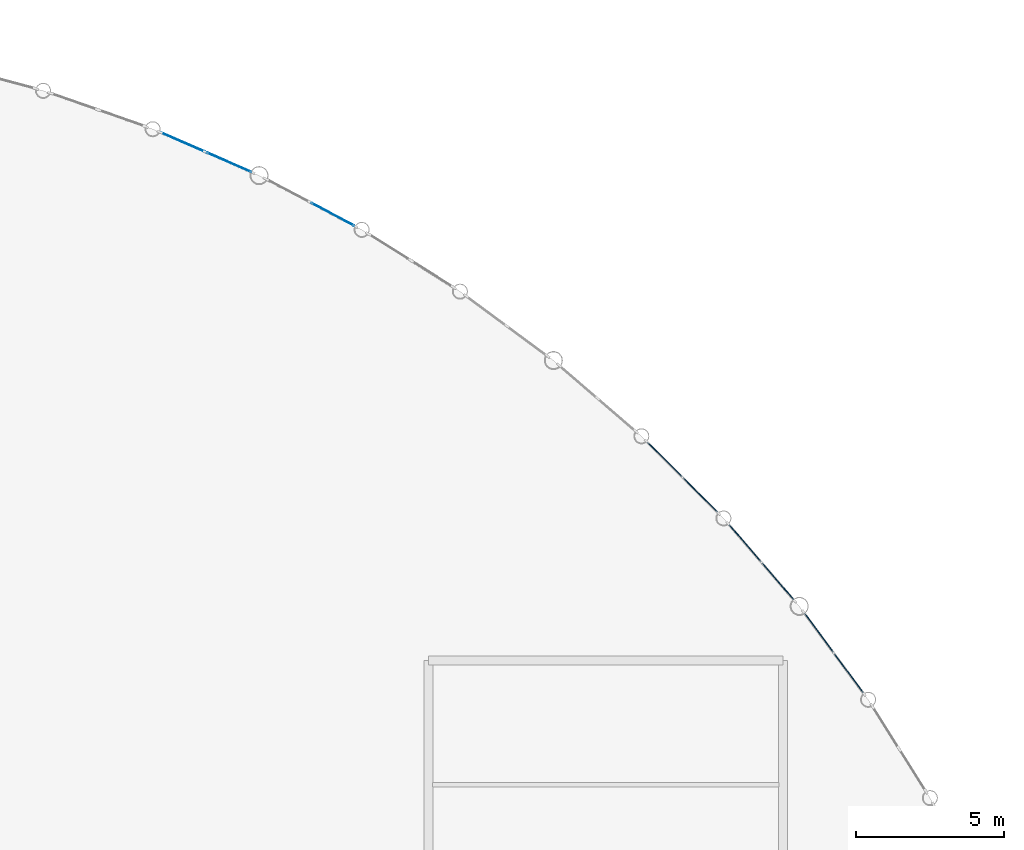
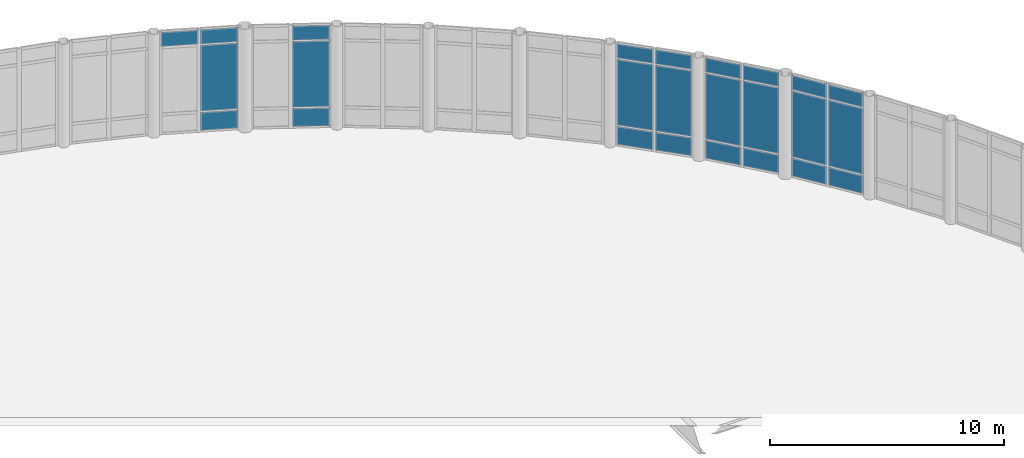
# One storey, part 93 of 111: 25 plates, 5 elements without a shape of their own.
"""IFC4 building model written with IfcOpenShell, lengths in metres."""

import ifcopenshell
import ifcopenshell.guid

model = None  # the IFC model being written
_history = None  # IfcOwnerHistory: only IFC2X3 demands one
_inside = {}  # id of a spatial element -> (the spatial element, [elements in it])
_under = {}  # id of a project, library or spatial element -> (it, [spatial elements below it])
_declared = {}  # id of a project -> (the project, [libraries it declares])
_typed = {}  # id of a type object -> (the type object, [elements of that type])
_made_of = {}  # id of a material, layer set ... -> (it, [elements and type objects made of it])


def new_model(schema):
    """Start an empty IFC model of exactly this schema.

    Asked for "IFC4X3", IfcOpenShell would pick the latest addendum, in which some entities
    have other attributes; the version numbers below select the first issue.
    IFC2X3 requires an IfcOwnerHistory on every rooted entity: one is made here for all.
    """
    global model, _history
    if schema == "IFC4X3":
        model = ifcopenshell.file(schema_version=(4, 3, 0, 0))
    else:
        model = ifcopenshell.file(schema=schema)
    _inside.clear()
    _under.clear()
    _declared.clear()
    _typed.clear()
    _made_of.clear()
    _history = None
    if model.schema == "IFC2X3":
        org = make("IfcOrganization", Name="unknown")
        user = make(
            "IfcPersonAndOrganization",
            ThePerson=make("IfcPerson", FamilyName="unknown"),
            TheOrganization=org,
        )
        app = make(
            "IfcApplication",
            ApplicationDeveloper=org,
            Version="unknown",
            ApplicationFullName="unknown",
            ApplicationIdentifier="unknown",
        )
        _history = make(
            "IfcOwnerHistory",
            OwningUser=user,
            OwningApplication=app,
            ChangeAction="ADDED",
            CreationDate=0,
        )
    return model


def make(cls, **values):
    """One entity of the class cls with the attributes given. An attribute that is None is left unset."""
    return model.create_entity(
        cls, **{name: value for name, value in values.items() if value is not None}
    )


def rooted(cls, **values):
    """An entity with a GlobalId (a new one), such as an element, a storey or a relation."""
    return make(cls, GlobalId=ifcopenshell.guid.new(), OwnerHistory=_history, **values)


def si_unit(unit_type, name, prefix=None):
    """IfcSIUnit, for example si_unit("LENGTHUNIT", "METRE", prefix="MILLI")."""
    return make("IfcSIUnit", UnitType=unit_type, Prefix=prefix, Name=name)


def assignment(units):
    """IfcUnitAssignment: the units of a project."""
    return None if units is None else make("IfcUnitAssignment", Units=units)


def point(xyz):
    """IfcCartesianPoint."""
    return None if xyz is None else make("IfcCartesianPoint", Coordinates=xyz)


def direction(xyz):
    """IfcDirection."""
    return None if xyz is None else make("IfcDirection", DirectionRatios=xyz)


def frame(location, z_axis=None, x_axis=None):
    """IfcAxis2Placement3D, a coordinate frame: its origin and axes. An axis left out is left unset."""
    return make(
        "IfcAxis2Placement3D",
        Location=point(location),
        Axis=direction(z_axis),
        RefDirection=direction(x_axis),
    )


def frame_2d(location, x_axis=None):
    """IfcAxis2Placement2D, a coordinate frame in the plane: its origin and x axis."""
    return make(
        "IfcAxis2Placement2D", Location=point(location), RefDirection=direction(x_axis)
    )


def origin():
    """The frame at (0, 0, 0) with its axes left unset."""
    return frame((0.0, 0.0, 0.0))


def origin_2d():
    """The frame at (0, 0) in the plane with its x axis left unset."""
    return frame_2d((0.0, 0.0))


def place(relative_to, where):
    """IfcLocalPlacement: puts the frame where relative to a parent placement (None: the world)."""
    return make(
        "IfcLocalPlacement", PlacementRelTo=relative_to, RelativePlacement=where
    )


def context(
    kind, dimensions, precision=None, world=None, true_north=None, identifier=None
):
    """IfcGeometricRepresentationContext, for example the 3D "Model" context."""
    return make(
        "IfcGeometricRepresentationContext",
        ContextIdentifier=identifier,
        ContextType=kind,
        CoordinateSpaceDimension=dimensions,
        Precision=precision,
        WorldCoordinateSystem=world,
        TrueNorth=true_north,
    )


def subcontext(parent, identifier, kind, view, scale=None):
    """IfcGeometricRepresentationSubContext, for example "Body" below "Model"."""
    return make(
        "IfcGeometricRepresentationSubContext",
        ContextIdentifier=identifier,
        ContextType=kind,
        ParentContext=parent,
        TargetScale=scale,
        TargetView=view,
    )


def project(units=None, contexts=None):
    """IfcProject with its units and contexts."""
    return rooted(
        "IfcProject",
        Name="project",
        RepresentationContexts=contexts,
        UnitsInContext=assignment(units),
    )


def spatial(cls, under=None, at=None, **own):
    """A site, building, storey or space (cls), placed at a placement, below another one or the project."""
    s = rooted(cls, ObjectPlacement=at, **own)
    if under is not None:
        _under.setdefault(under.id(), (under, []))[1].append(s)
    return s


def profile(cls, at=None, kind="AREA", **sizes):
    """A parametric profile (cls). Its sizes go by their IFC names, for example OverallWidth=200.0."""
    return make(cls, ProfileType=kind, Position=at, **sizes)


def rectangle(**sizes):
    """IfcRectangleProfileDef."""
    return profile("IfcRectangleProfileDef", **sizes)


def extrude(swept, where, along, depth):
    """IfcExtrudedAreaSolid: the profile swept, set in the frame where, extruded along a direction by depth."""
    return make(
        "IfcExtrudedAreaSolid",
        SweptArea=swept,
        Position=where,
        ExtrudedDirection=direction(along),
        Depth=depth,
    )


def shape(context_of_items, identifier, shape_type, items):
    """IfcShapeRepresentation: the items that make up one representation, for example the "Body"."""
    return make(
        "IfcShapeRepresentation",
        ContextOfItems=context_of_items,
        RepresentationIdentifier=identifier,
        RepresentationType=shape_type,
        Items=items,
    )


def material(Name=None, Category=None):
    """IfcMaterial."""
    return make("IfcMaterial", Name=Name, Category=Category)


def layer(
    of_material, thickness, ventilated=None, Name=None, Category=None, Priority=None
):
    """IfcMaterialLayer: one layer of a wall or slab, of a material (None: an air gap)."""
    return make(
        "IfcMaterialLayer",
        Material=of_material,
        LayerThickness=thickness,
        IsVentilated=ventilated,
        Name=Name,
        Category=Category,
        Priority=Priority,
    )


def layer_set(layers, Name=None):
    """IfcMaterialLayerSet."""
    return make("IfcMaterialLayerSet", MaterialLayers=layers, LayerSetName=Name)


def made_of(thing, what):
    """Note that an element or type object is made of a material, layer set ...; save() writes the relation."""
    if what is not None:
        _made_of.setdefault(what.id(), (what, []))[1].append(thing)
    return thing


def type_object(cls, material=None, **own):
    """A type object (cls), such as IfcWallType, which elements share."""
    return made_of(rooted(cls, **own), material)


def element(
    cls,
    number,
    at=None,
    inside=None,
    cuts=None,
    type_object=None,
    material=None,
    context=None,
    identifier="Body",
    shape_type=None,
    held_by="IfcProductDefinitionShape",
    body=None,
    shapes=None,
    **own,
):
    """One element of the class cls, such as IfcWall. Its Tag is "e" and its number.

    at: its placement. inside: the storey or other place that contains it. cuts: it is an
    opening in that element (IfcRelVoidsElement). A single representation is given by context,
    identifier, shape_type and body (its items); several are given by shapes. held_by: the class
    of the entity that holds the representations. save() writes the other relations.
    """
    e = rooted(cls, Tag="e%d" % number, ObjectPlacement=at, **own)
    if body is not None:
        shapes = [shape(context, identifier, shape_type, body)]
    if shapes is not None:
        e.Representation = make(held_by, Representations=shapes)
    if inside is not None:
        _inside.setdefault(inside.id(), (inside, []))[1].append(e)
    if cuts is not None:
        rooted(
            "IfcRelVoidsElement", RelatingBuildingElement=cuts, RelatedOpeningElement=e
        )
    if type_object is not None:
        _typed.setdefault(type_object.id(), (type_object, []))[1].append(e)
    return made_of(e, material)


def aggregate(whole, parts):
    """IfcRelAggregates: a whole, such as a stair, and the parts it consists of."""
    return rooted("IfcRelAggregates", RelatingObject=whole, RelatedObjects=parts)


def save(model, path):
    """Write the relations noted so far, then the file.

    IfcRelAggregates (storeys below a building ...), IfcRelContainedInSpatialStructure (elements
    in a storey), IfcRelDefinesByType, IfcRelAssociatesMaterial and IfcRelDeclares: one each for
    every whole, place, type object, material and project.
    """
    for whole, parts in _under.values():
        aggregate(whole, parts)
    for where, things in _inside.values():
        rooted(
            "IfcRelContainedInSpatialStructure",
            RelatedElements=things,
            RelatingStructure=where,
        )
    for kind, things in _typed.values():
        rooted("IfcRelDefinesByType", RelatedObjects=things, RelatingType=kind)
    for what, things in _made_of.values():
        rooted("IfcRelAssociatesMaterial", RelatedObjects=things, RelatingMaterial=what)
    for by, libraries in _declared.values():
        rooted("IfcRelDeclares", RelatingContext=by, RelatedDefinitions=libraries)
    model.write(path)


model = new_model("IFC4")

# Units and contexts
model_context = context("Model", 3, precision=1e-05, world=origin(), true_north=direction((0.0, 1.0)))
body_context = subcontext(model_context, "Body", "Model", "MODEL_VIEW")
ifc_project = project(units=[si_unit("LENGTHUNIT", "METRE"), si_unit("AREAUNIT", "SQUARE_METRE"), si_unit("VOLUMEUNIT", "CUBIC_METRE"), si_unit("PLANEANGLEUNIT", "RADIAN"), si_unit("MASSUNIT", "GRAM", prefix="KILO"), si_unit("THERMODYNAMICTEMPERATUREUNIT", "KELVIN"), si_unit("POWERUNIT", "WATT")], contexts=[model_context])

# Site, building, storey
site_placement = place(None, origin())
site = spatial("IfcSite", under=ifc_project, at=site_placement, CompositionType="ELEMENT")
building_placement = place(site_placement, origin())
building = spatial("IfcBuilding", under=site, at=building_placement, Name="Tembeka Court Mobility Hub", CompositionType="ELEMENT")
storey_placement = place(building_placement, origin())
storey = spatial("IfcBuildingStorey", under=building, at=storey_placement, Name="L00", CompositionType="ELEMENT", Elevation=0.0)

# Curtain wall, plates
ifc_material_1 = material(Name="Anodised aluminium 6063-T6", Category="aluminium")
ifc_layer_1 = layer(ifc_material_1, 0.199951171875)
ifc_layer_set_1 = layer_set([ifc_layer_1], Name="Anodised aluminium 6063-T6")
curtain_wall_type = type_object("IfcCurtainWallType", Name="CW-SYS24", PredefinedType="USERDEFINED", material=ifc_layer_set_1)
curtain_wall_1_placement = place(storey_placement, origin())
curtain_wall_1 = element("IfcCurtainWall", 1, at=curtain_wall_1_placement, inside=storey, type_object=curtain_wall_type, Name="Unitised curtain wall CW24 (CW-L00-059)", ObjectType="UNITISED GLAZING", PredefinedType="USERDEFINED")
ifc_material_2 = material(Name="Laminated solar-control low-E glass", Category="glass")
ifc_layer_2 = layer(ifc_material_2, 0.028076171875)
ifc_layer_set_2 = layer_set([ifc_layer_2], Name="Laminated solar-control low-E glass")
plate_type = type_object("IfcPlateType", Name="PL-CW01", PredefinedType="CURTAIN_PANEL", material=ifc_layer_set_2)
plate_1_placement = place(storey_placement, frame((166.6181640625, 96.767578125, 0.074951171875), z_axis=(0.0, 0.0, 1.0), x_axis=(-0.593818252688, 0.804599206298, 0.0)))
plate_1 = element("IfcPlate", 2, at=plate_1_placement, type_object=plate_type, Name="CW24 panel 1.1", PredefinedType="CURTAIN_PANEL", context=body_context, shape_type="SweptSolid", body=[
    extrude(rectangle(XDim=1.630615234375, YDim=0.028076171875, at=origin_2d()), origin(), (0.0, 0.0, 1.0), 0.9375),
])
plate_2_placement = place(storey_placement, frame((166.6181640625, 96.767578125, 1.08740234375), z_axis=(0.0, 0.0, 1.0), x_axis=(-0.593818252688, 0.804599206298, 0.0)))
plate_2 = element("IfcPlate", 3, at=plate_2_placement, type_object=plate_type, Name="CW24 panel 1.2", PredefinedType="CURTAIN_PANEL", context=body_context, shape_type="SweptSolid", body=[
    extrude(rectangle(XDim=1.630615234375, YDim=0.028076171875, at=origin_2d()), origin(), (0.0, 0.0, 1.0), 3.425048828125),
])
plate_3_placement = place(storey_placement, frame((166.6181640625, 96.767578125, 4.58740234375), z_axis=(0.0, 0.0, 1.0), x_axis=(-0.593818252688, 0.804599206298, 0.0)))
plate_3 = element("IfcPlate", 4, at=plate_3_placement, type_object=plate_type, Name="CW24 panel 1.3", PredefinedType="CURTAIN_PANEL", context=body_context, shape_type="SweptSolid", body=[
    extrude(rectangle(XDim=1.630615234375, YDim=0.028076171875, at=origin_2d()), origin(), (0.0, 0.0, 1.0), 0.737548828125),
])
plate_4_placement = place(storey_placement, frame((165.60546875, 98.139892578125, 0.074951171875), z_axis=(0.0, 0.0, 1.0), x_axis=(-0.593818252688, 0.804599206298, 0.0)))
plate_4 = element("IfcPlate", 5, at=plate_4_placement, type_object=plate_type, Name="CW24 panel 2.1", PredefinedType="CURTAIN_PANEL", context=body_context, shape_type="SweptSolid", body=[
    extrude(rectangle(XDim=1.630615234375, YDim=0.028076171875, at=origin_2d()), origin(), (0.0, 0.0, 1.0), 0.9375),
])
plate_5_placement = place(storey_placement, frame((165.60546875, 98.139892578125, 1.08740234375), z_axis=(0.0, 0.0, 1.0), x_axis=(-0.593818252688, 0.804599206298, 0.0)))
plate_5 = element("IfcPlate", 6, at=plate_5_placement, type_object=plate_type, Name="CW24 panel 2.2", PredefinedType="CURTAIN_PANEL", context=body_context, shape_type="SweptSolid", body=[
    extrude(rectangle(XDim=1.630615234375, YDim=0.028076171875, at=origin_2d()), origin(), (0.0, 0.0, 1.0), 3.425048828125),
])
plate_6_placement = place(storey_placement, frame((165.60546875, 98.139892578125, 4.58740234375), z_axis=(0.0, 0.0, 1.0), x_axis=(-0.593818252688, 0.804599206298, 0.0)))
plate_6 = element("IfcPlate", 7, at=plate_6_placement, type_object=plate_type, Name="CW24 panel 2.3", PredefinedType="CURTAIN_PANEL", context=body_context, shape_type="SweptSolid", body=[
    extrude(rectangle(XDim=1.630615234375, YDim=0.028076171875, at=origin_2d()), origin(), (0.0, 0.0, 1.0), 0.737548828125),
])
aggregate(curtain_wall_1, [plate_1, plate_2, plate_3, plate_4, plate_5, plate_6])

curtain_wall_2_placement = place(storey_placement, origin())
curtain_wall_2 = element("IfcCurtainWall", 8, at=curtain_wall_2_placement, inside=storey, type_object=curtain_wall_type, Name="Unitised curtain wall CW24 (CW-L00-061)", ObjectType="UNITISED GLAZING", PredefinedType="USERDEFINED")
plate_7_placement = place(storey_placement, frame((164.221923828125, 99.874755859375, 0.074951171875), z_axis=(0.0, 0.0, 1.0), x_axis=(-0.652306690707, 0.757955131428, 0.0)))
plate_7 = element("IfcPlate", 9, at=plate_7_placement, type_object=plate_type, Name="CW24 panel 1.1", PredefinedType="CURTAIN_PANEL", context=body_context, shape_type="SweptSolid", body=[
    extrude(rectangle(XDim=1.630615234375, YDim=0.028076171875, at=origin_2d()), origin(), (0.0, 0.0, 1.0), 0.9375),
])
plate_8_placement = place(storey_placement, frame((164.221923828125, 99.874755859375, 1.08740234375), z_axis=(0.0, 0.0, 1.0), x_axis=(-0.652306690707, 0.757955131428, 0.0)))
plate_8 = element("IfcPlate", 10, at=plate_8_placement, type_object=plate_type, Name="CW24 panel 1.2", PredefinedType="CURTAIN_PANEL", context=body_context, shape_type="SweptSolid", body=[
    extrude(rectangle(XDim=1.630615234375, YDim=0.028076171875, at=origin_2d()), origin(), (0.0, 0.0, 1.0), 3.425048828125),
])
plate_9_placement = place(storey_placement, frame((164.221923828125, 99.874755859375, 4.58740234375), z_axis=(0.0, 0.0, 1.0), x_axis=(-0.652306690707, 0.757955131428, 0.0)))
plate_9 = element("IfcPlate", 11, at=plate_9_placement, type_object=plate_type, Name="CW24 panel 1.3", PredefinedType="CURTAIN_PANEL", context=body_context, shape_type="SweptSolid", body=[
    extrude(rectangle(XDim=1.630615234375, YDim=0.028076171875, at=origin_2d()), origin(), (0.0, 0.0, 1.0), 0.737548828125),
])
plate_10_placement = place(storey_placement, frame((163.109375, 101.16748046875, 0.074951171875), z_axis=(0.0, 0.0, 1.0), x_axis=(-0.652306690707, 0.757955131428, 0.0)))
plate_10 = element("IfcPlate", 12, at=plate_10_placement, type_object=plate_type, Name="CW24 panel 2.1", PredefinedType="CURTAIN_PANEL", context=body_context, shape_type="SweptSolid", body=[
    extrude(rectangle(XDim=1.630615234375, YDim=0.028076171875, at=origin_2d()), origin(), (0.0, 0.0, 1.0), 0.9375),
])
plate_11_placement = place(storey_placement, frame((163.109375, 101.16748046875, 1.08740234375), z_axis=(0.0, 0.0, 1.0), x_axis=(-0.652306690707, 0.757955131428, 0.0)))
plate_11 = element("IfcPlate", 13, at=plate_11_placement, type_object=plate_type, Name="CW24 panel 2.2", PredefinedType="CURTAIN_PANEL", context=body_context, shape_type="SweptSolid", body=[
    extrude(rectangle(XDim=1.630615234375, YDim=0.028076171875, at=origin_2d()), origin(), (0.0, 0.0, 1.0), 3.425048828125),
])
plate_12_placement = place(storey_placement, frame((163.109375, 101.16748046875, 4.58740234375), z_axis=(0.0, 0.0, 1.0), x_axis=(-0.652306690707, 0.757955131428, 0.0)))
plate_12 = element("IfcPlate", 14, at=plate_12_placement, type_object=plate_type, Name="CW24 panel 2.3", PredefinedType="CURTAIN_PANEL", context=body_context, shape_type="SweptSolid", body=[
    extrude(rectangle(XDim=1.630615234375, YDim=0.028076171875, at=origin_2d()), origin(), (0.0, 0.0, 1.0), 0.737548828125),
])
aggregate(curtain_wall_2, [plate_7, plate_8, plate_9, plate_10, plate_11, plate_12])

curtain_wall_3_placement = place(storey_placement, origin())
curtain_wall_3 = element("IfcCurtainWall", 15, at=curtain_wall_3_placement, inside=storey, type_object=curtain_wall_type, Name="Unitised curtain wall CW24 (CW-L00-063)", ObjectType="UNITISED GLAZING", PredefinedType="USERDEFINED")
plate_13_placement = place(storey_placement, frame((161.60009765625, 102.794189453125, 0.074951171875), z_axis=(0.0, 0.0, 1.0), x_axis=(-0.707106781187, 0.707106781187, 0.0)))
plate_13 = element("IfcPlate", 16, at=plate_13_placement, type_object=plate_type, Name="CW24 panel 1.1", PredefinedType="CURTAIN_PANEL", context=body_context, shape_type="SweptSolid", body=[
    extrude(rectangle(XDim=1.63037109375, YDim=0.028076171875, at=origin_2d()), origin(), (0.0, 0.0, 1.0), 0.9375),
])
plate_14_placement = place(storey_placement, frame((161.60009765625, 102.794189453125, 1.08740234375), z_axis=(0.0, 0.0, 1.0), x_axis=(-0.707106781187, 0.707106781187, 0.0)))
plate_14 = element("IfcPlate", 17, at=plate_14_placement, type_object=plate_type, Name="CW24 panel 1.2", PredefinedType="CURTAIN_PANEL", context=body_context, shape_type="SweptSolid", body=[
    extrude(rectangle(XDim=1.63037109375, YDim=0.028076171875, at=origin_2d()), origin(), (0.0, 0.0, 1.0), 3.425048828125),
])
plate_15_placement = place(storey_placement, frame((161.60009765625, 102.794189453125, 4.58740234375), z_axis=(0.0, 0.0, 1.0), x_axis=(-0.707106781187, 0.707106781187, 0.0)))
plate_15 = element("IfcPlate", 18, at=plate_15_placement, type_object=plate_type, Name="CW24 panel 1.3", PredefinedType="CURTAIN_PANEL", context=body_context, shape_type="SweptSolid", body=[
    extrude(rectangle(XDim=1.63037109375, YDim=0.028076171875, at=origin_2d()), origin(), (0.0, 0.0, 1.0), 0.737548828125),
])
plate_16_placement = place(storey_placement, frame((160.394287109375, 104.0, 0.074951171875), z_axis=(0.0, 0.0, 1.0), x_axis=(-0.707106781187, 0.707106781187, 0.0)))
plate_16 = element("IfcPlate", 19, at=plate_16_placement, type_object=plate_type, Name="CW24 panel 2.1", PredefinedType="CURTAIN_PANEL", context=body_context, shape_type="SweptSolid", body=[
    extrude(rectangle(XDim=1.63037109375, YDim=0.028076171875, at=origin_2d()), origin(), (0.0, 0.0, 1.0), 0.9375),
])
plate_17_placement = place(storey_placement, frame((160.394287109375, 104.0, 1.08740234375), z_axis=(0.0, 0.0, 1.0), x_axis=(-0.707106781187, 0.707106781187, 0.0)))
plate_17 = element("IfcPlate", 20, at=plate_17_placement, type_object=plate_type, Name="CW24 panel 2.2", PredefinedType="CURTAIN_PANEL", context=body_context, shape_type="SweptSolid", body=[
    extrude(rectangle(XDim=1.63037109375, YDim=0.028076171875, at=origin_2d()), origin(), (0.0, 0.0, 1.0), 3.425048828125),
])
plate_18_placement = place(storey_placement, frame((160.394287109375, 104.0, 4.58740234375), z_axis=(0.0, 0.0, 1.0), x_axis=(-0.707106781187, 0.707106781187, 0.0)))
plate_18 = element("IfcPlate", 21, at=plate_18_placement, type_object=plate_type, Name="CW24 panel 2.3", PredefinedType="CURTAIN_PANEL", context=body_context, shape_type="SweptSolid", body=[
    extrude(rectangle(XDim=1.63037109375, YDim=0.028076171875, at=origin_2d()), origin(), (0.0, 0.0, 1.0), 0.737548828125),
])
aggregate(curtain_wall_3, [plate_13, plate_14, plate_15, plate_16, plate_17, plate_18])

curtain_wall_4_placement = place(storey_placement, origin())
curtain_wall_4 = element("IfcCurtainWall", 22, at=curtain_wall_4_placement, inside=storey, type_object=curtain_wall_type, Name="Unitised curtain wall CW24 (CW-L00-071)", ObjectType="UNITISED GLAZING", PredefinedType="USERDEFINED")
plate_19_placement = place(storey_placement, frame((149.16845703125, 112.28515625, 0.074951171875), z_axis=(0.0, 0.0, 1.0), x_axis=(-0.884107976202, 0.467282662225, 0.0)))
plate_19 = element("IfcPlate", 23, at=plate_19_placement, type_object=plate_type, Name="CW24 panel 1.1", PredefinedType="CURTAIN_PANEL", context=body_context, shape_type="SweptSolid", body=[
    extrude(rectangle(XDim=1.630615234375, YDim=0.028076171875, at=origin_2d()), origin(), (0.0, 0.0, 1.0), 0.9375),
])
plate_20_placement = place(storey_placement, frame((149.16845703125, 112.28515625, 1.08740234375), z_axis=(0.0, 0.0, 1.0), x_axis=(-0.884107976202, 0.467282662225, 0.0)))
plate_20 = element("IfcPlate", 24, at=plate_20_placement, type_object=plate_type, Name="CW24 panel 1.2", PredefinedType="CURTAIN_PANEL", context=body_context, shape_type="SweptSolid", body=[
    extrude(rectangle(XDim=1.630615234375, YDim=0.028076171875, at=origin_2d()), origin(), (0.0, 0.0, 1.0), 3.425048828125),
])
plate_21_placement = place(storey_placement, frame((149.16845703125, 112.28515625, 4.58740234375), z_axis=(0.0, 0.0, 1.0), x_axis=(-0.884107976202, 0.467282662225, 0.0)))
plate_21 = element("IfcPlate", 25, at=plate_21_placement, type_object=plate_type, Name="CW24 panel 1.3", PredefinedType="CURTAIN_PANEL", context=body_context, shape_type="SweptSolid", body=[
    extrude(rectangle(XDim=1.630615234375, YDim=0.028076171875, at=origin_2d()), origin(), (0.0, 0.0, 1.0), 0.737548828125),
])
aggregate(curtain_wall_4, [plate_19, plate_20, plate_21])

curtain_wall_5_placement = place(storey_placement, origin())
curtain_wall_5 = element("IfcCurtainWall", 26, at=curtain_wall_5_placement, inside=storey, type_object=curtain_wall_type, Name="Unitised curtain wall CW24 (CW-L00-073)", ObjectType="UNITISED GLAZING", PredefinedType="USERDEFINED")
plate_22_placement = place(storey_placement, frame((145.661376953125, 114.044921875, 0.074951171875), z_axis=(0.0, 0.0, 1.0), x_axis=(-0.916572258286, 0.399869097757, 0.0)))
plate_22 = element("IfcPlate", 27, at=plate_22_placement, type_object=plate_type, Name="CW24 panel 1.1", PredefinedType="CURTAIN_PANEL", context=body_context, shape_type="SweptSolid", body=[
    extrude(rectangle(XDim=1.630615234375, YDim=0.028076171875, at=origin_2d()), origin(), (0.0, 0.0, 1.0), 0.9375),
])
plate_23_placement = place(storey_placement, frame((145.661376953125, 114.044921875, 1.08740234375), z_axis=(0.0, 0.0, 1.0), x_axis=(-0.916572258286, 0.399869097757, 0.0)))
plate_23 = element("IfcPlate", 28, at=plate_23_placement, type_object=plate_type, Name="CW24 panel 1.2", PredefinedType="CURTAIN_PANEL", context=body_context, shape_type="SweptSolid", body=[
    extrude(rectangle(XDim=1.630615234375, YDim=0.028076171875, at=origin_2d()), origin(), (0.0, 0.0, 1.0), 3.425048828125),
])
plate_24_placement = place(storey_placement, frame((145.661376953125, 114.044921875, 4.58740234375), z_axis=(0.0, 0.0, 1.0), x_axis=(-0.916572258286, 0.399869097757, 0.0)))
plate_24 = element("IfcPlate", 29, at=plate_24_placement, type_object=plate_type, Name="CW24 panel 1.3", PredefinedType="CURTAIN_PANEL", context=body_context, shape_type="SweptSolid", body=[
    extrude(rectangle(XDim=1.630615234375, YDim=0.028076171875, at=origin_2d()), origin(), (0.0, 0.0, 1.0), 0.737548828125),
])
plate_25_placement = place(storey_placement, frame((144.097900390625, 114.726806640625, 4.58740234375), z_axis=(0.0, 0.0, 1.0), x_axis=(-0.916572258286, 0.399869097757, 0.0)))
plate_25 = element("IfcPlate", 30, at=plate_25_placement, type_object=plate_type, Name="CW24 panel 2.3", PredefinedType="CURTAIN_PANEL", context=body_context, shape_type="SweptSolid", body=[
    extrude(rectangle(XDim=1.630615234375, YDim=0.028076171875, at=origin_2d()), origin(), (0.0, 0.0, 1.0), 0.737548828125),
])
aggregate(curtain_wall_5, [plate_22, plate_23, plate_24, plate_25])

save(model, "model.ifc")
